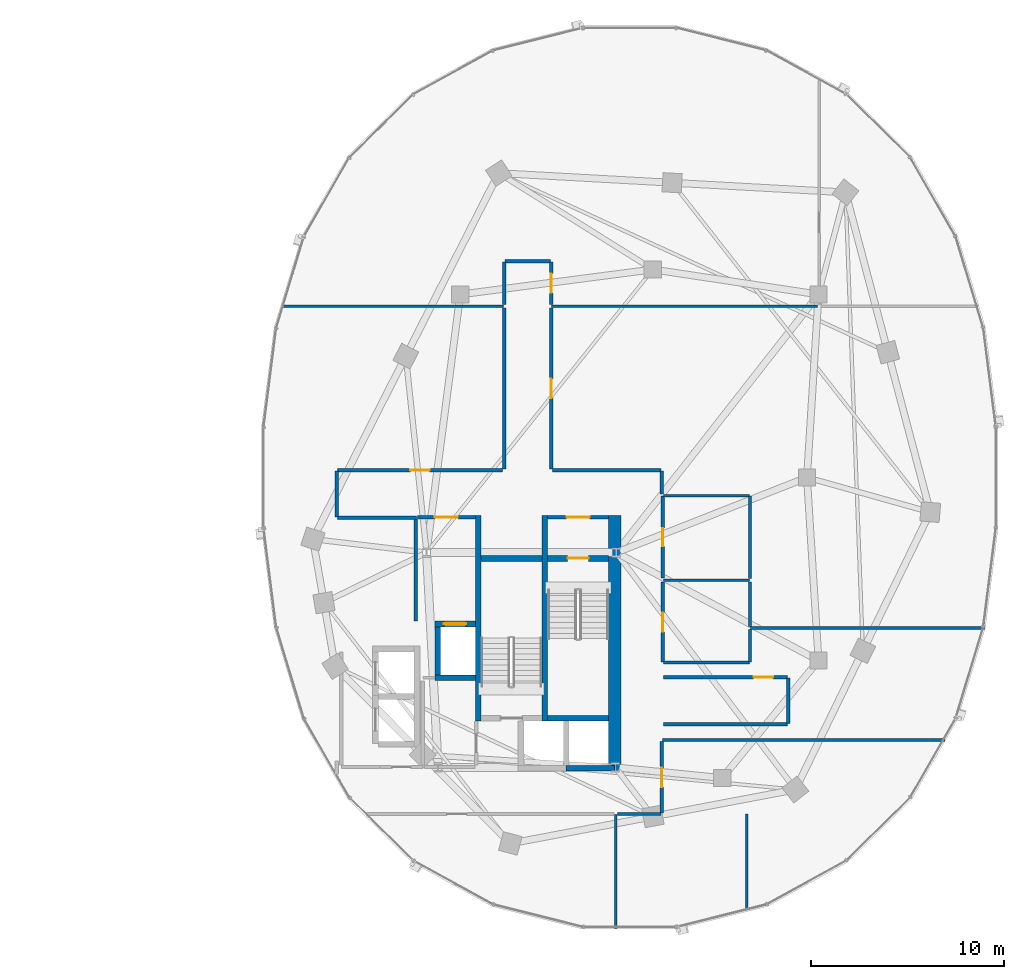
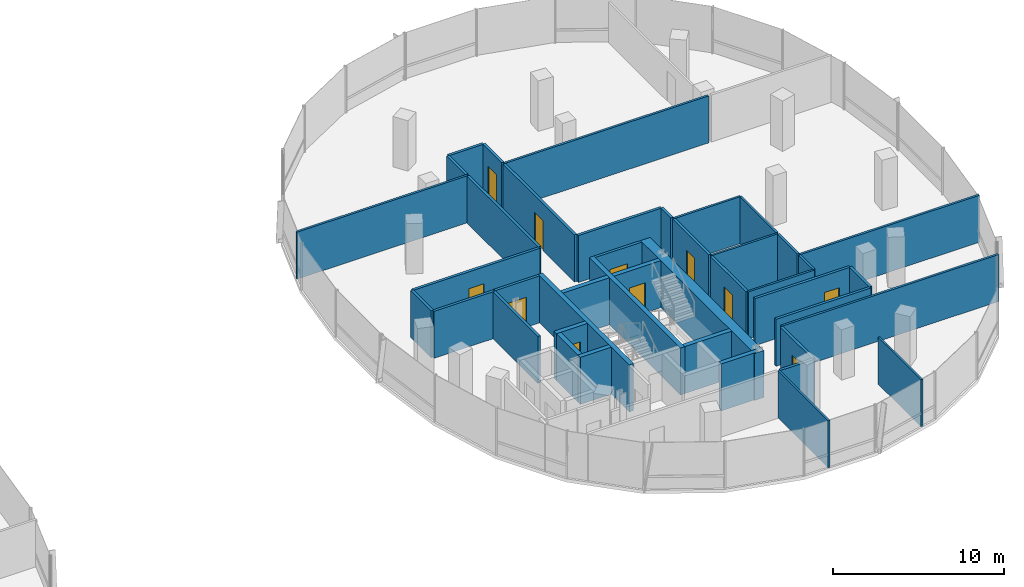
# One storey, part 14 of 22: 42 walls, 11 doors, 11 openings.
"""IFC4 building model written with IfcOpenShell, lengths in metres."""

from ifc_helpers import new_model, si_unit, direction, frame, frame_2d, origin, place, context, subcontext, project, spatial, rectangle, extrude, material, layer, layer_set, type_object, element, fill, save


model = new_model("IFC4")

# Units and contexts
model_context = context("Model", 3, precision=1e-05, world=origin(), true_north=direction((0.0, 1.0)))
body_context = subcontext(model_context, "Body", "Model", "MODEL_VIEW")
ifc_project = project(units=[si_unit("LENGTHUNIT", "METRE"), si_unit("AREAUNIT", "SQUARE_METRE"), si_unit("VOLUMEUNIT", "CUBIC_METRE"), si_unit("PLANEANGLEUNIT", "RADIAN"), si_unit("MASSUNIT", "GRAM", prefix="KILO"), si_unit("THERMODYNAMICTEMPERATUREUNIT", "KELVIN"), si_unit("POWERUNIT", "WATT")], contexts=[model_context])

# Site, building, storey
site_placement = place(None, origin())
site = spatial("IfcSite", under=ifc_project, at=site_placement, CompositionType="ELEMENT")
building_placement = place(site_placement, origin())
building = spatial("IfcBuilding", under=site, at=building_placement, Name="Cundina Bronze Exchange", CompositionType="ELEMENT")
storey_placement = place(building_placement, frame((0.0, 0.0, 158.39990234375)))
storey = spatial("IfcBuildingStorey", under=building, at=storey_placement, Name="L41", CompositionType="ELEMENT", Elevation=158.39990234375)

# Wall
ifc_material_1 = material(Name="Gypsum Fireboard Partition EI120")
ifc_layer_1 = layer(ifc_material_1, 0.179931640625, Name="Gypsum Fireboard Partition EI120")
ifc_layer_set_1 = layer_set([ifc_layer_1], Name="Gypsum Fireboard Partition EI120")
wall_type_1 = type_object("IfcWallType", Name="WL-COR-180", PredefinedType="PARTITIONING", material=ifc_layer_set_1)
wall_1_placement = place(storey_placement, frame((20.889892578125, -7.449951171875, 0.0), z_axis=(0.0, 0.0, 1.0), x_axis=(0.0, 1.0, 0.0)))
element("IfcWall", 1, at=wall_1_placement, inside=storey, type_object=wall_type_1, Name="L41 E Firefighting Lobby Side Wall", PredefinedType="PARTITIONING", context=body_context, shape_type="SweptSolid", body=[
    extrude(rectangle(XDim=5.300048828125, YDim=0.179931640625, at=frame_2d((2.64990234375, 0.0))), origin(), (0.0, 0.0, 1.0), 3.360107421875),
])

# Wall, opening, door
wall_2_placement = place(storey_placement, frame((20.97998046875, -2.06005859375, 0.0), z_axis=(0.0, 0.0, 1.0), x_axis=(1.0, 0.0, 0.0)))
wall_2 = element("IfcWall", 2, at=wall_2_placement, inside=storey, type_object=wall_type_1, Name="L41 E Firefighting Lobby Exit Wall", PredefinedType="PARTITIONING", context=body_context, shape_type="SweptSolid", body=[
    extrude(rectangle(XDim=3.0, YDim=0.179931640625, at=frame_2d((1.5, 0.0))), origin(), (0.0, 0.0, 1.0), 3.360107421875),
])
opening_1_placement = place(wall_2_placement, frame((0.89990234375, 0.0, 0.0)))
opening_1 = element("IfcOpeningElement", 3, at=opening_1_placement, cuts=wall_2, Name="Opening DF-01", PredefinedType="OPENING", context=body_context, shape_type="SweptSolid", body=[
    extrude(rectangle(XDim=1.199951171875, YDim=2.14990234375, at=frame_2d((0.60009765625, 1.074951171875))), frame((0.0, 0.099853515625, 0.0), z_axis=(0.0, -1.0, 0.0), x_axis=(1.0, 0.0, 0.0)), (0.0, 0.0, 1.0), 0.199951171875),
])
ifc_material_2 = material(Name="Steel ASTM A36 Painted", Category="steel")
door_type_1 = type_object("IfcDoorType", Name="DR-FFL-1200", OperationType="NOTDEFINED", PredefinedType="DOOR", material=ifc_material_2)
door_1_placement = place(opening_1_placement, origin())
door_1 = element("IfcDoor", 4, at=door_1_placement, inside=storey, type_object=door_type_1, Name="L41 E Firefighting Lobby Door", OperationType="SINGLE_SWING_LEFT", OverallHeight=2.14990234375, OverallWidth=1.199951171875, PredefinedType="DOOR", context=body_context, shape_type="SweptSolid", body=[
    extrude(rectangle(XDim=1.199951171875, YDim=2.14990234375, at=frame_2d((0.60009765625, 1.074951171875))), frame((0.0, 0.02490234375, 0.0), z_axis=(0.0, -1.0, 0.0), x_axis=(1.0, 0.0, 0.0)), (0.0, 0.0, 1.0), 0.050048828125),
])
fill(opening_1, door_1)

wall_3_placement = place(storey_placement, frame((27.739990234375, -2.06005859375, 0.0), z_axis=(0.0, 0.0, 1.0), x_axis=(1.0, 0.0, 0.0)))
wall_3 = element("IfcWall", 5, at=wall_3_placement, inside=storey, type_object=wall_type_1, Name="L41 E Stair Vestibule Exit Wall", PredefinedType="PARTITIONING", context=body_context, shape_type="SweptSolid", body=[
    extrude(rectangle(XDim=3.159912109375, YDim=0.179931640625, at=frame_2d((1.580078125, 0.0))), origin(), (0.0, 0.0, 1.0), 3.360107421875),
])
opening_2_placement = place(wall_3_placement, frame((0.97998046875, 0.0, 0.0)))
opening_2 = element("IfcOpeningElement", 6, at=opening_2_placement, cuts=wall_3, Name="Opening DF-01", PredefinedType="OPENING", context=body_context, shape_type="SweptSolid", body=[
    extrude(rectangle(XDim=1.199951171875, YDim=2.14990234375, at=frame_2d((0.60009765625, 1.074951171875))), frame((0.0, 0.099853515625, 0.0), z_axis=(0.0, -1.0, 0.0), x_axis=(1.0, 0.0, 0.0)), (0.0, 0.0, 1.0), 0.199951171875),
])
door_2_placement = place(opening_2_placement, origin())
door_2 = element("IfcDoor", 7, at=door_2_placement, inside=storey, type_object=door_type_1, Name="L41 E Stair Vestibule Door", OperationType="SINGLE_SWING_RIGHT", OverallHeight=2.14990234375, OverallWidth=1.199951171875, PredefinedType="DOOR", context=body_context, shape_type="SweptSolid", body=[
    extrude(rectangle(XDim=1.199951171875, YDim=2.14990234375, at=frame_2d((0.60009765625, 1.074951171875))), frame((0.0, 0.02490234375, 0.0), z_axis=(0.0, -1.0, 0.0), x_axis=(1.0, 0.0, 0.0)), (0.0, 0.0, 1.0), 0.050048828125),
])
fill(opening_2, door_2)

wall_4_placement = place(storey_placement, frame((33.719970703125, -5.22998046875, 0.0), z_axis=(0.0, 0.0, 1.0), x_axis=(0.0, 1.0, 0.0)))
wall_4 = element("IfcWall", 8, at=wall_4_placement, inside=storey, type_object=wall_type_1, Name="L41 Interior Partition 055", PredefinedType="PARTITIONING", context=body_context, shape_type="SweptSolid", body=[
    extrude(rectangle(XDim=4.260009765625, YDim=0.179931640625, at=frame_2d((2.1298828125, 0.0))), origin(), (0.0, 0.0, 1.0), 3.360107421875),
])
opening_3_placement = place(wall_4_placement, frame((1.655029296875, 0.0, 0.0)))
opening_3 = element("IfcOpeningElement", 9, at=opening_3_placement, cuts=wall_4, Name="Opening DW-01", PredefinedType="OPENING", context=body_context, shape_type="SweptSolid", body=[
    extrude(rectangle(XDim=0.949951171875, YDim=2.10009765625, at=frame_2d((0.47509765625, 1.050048828125))), frame((0.0, 0.099853515625, 0.0), z_axis=(0.0, -1.0, 0.0), x_axis=(1.0, 0.0, 0.0)), (0.0, 0.0, 1.0), 0.199951171875),
])
ifc_material_3 = material(Name="Solid Andean Oak Timber Grade A", Category="wood")
door_type_2 = type_object("IfcDoorType", Name="DR-WC-950", OperationType="NOTDEFINED", PredefinedType="DOOR", material=ifc_material_3)
door_3_placement = place(opening_3_placement, origin())
door_3 = element("IfcDoor", 10, at=door_3_placement, inside=storey, type_object=door_type_2, Name="L41 Interior Door 055", OperationType="SINGLE_SWING_LEFT", OverallHeight=2.10009765625, OverallWidth=0.949951171875, PredefinedType="DOOR", context=body_context, shape_type="SweptSolid", body=[
    extrude(rectangle(XDim=0.949951171875, YDim=2.10009765625, at=frame_2d((0.47509765625, 1.050048828125))), frame((0.0, 0.02490234375, 0.0), z_axis=(0.0, -1.0, 0.0), x_axis=(1.0, 0.0, 0.0)), (0.0, 0.0, 1.0), 0.050048828125),
])
fill(opening_3, door_3)

wall_5_placement = place(storey_placement, frame((33.719970703125, -9.590087890625, 0.0), z_axis=(0.0, 0.0, 1.0), x_axis=(0.0, 1.0, 0.0)))
wall_5 = element("IfcWall", 11, at=wall_5_placement, inside=storey, type_object=wall_type_1, Name="L41 Interior Partition 056", PredefinedType="PARTITIONING", context=body_context, shape_type="SweptSolid", body=[
    extrude(rectangle(XDim=4.16015625, YDim=0.179931640625, at=frame_2d((2.080078125, 0.0))), origin(), (0.0, 0.0, 1.0), 3.360107421875),
])
opening_4_placement = place(wall_5_placement, frame((1.580078125, 0.0, 0.0)))
opening_4 = element("IfcOpeningElement", 12, at=opening_4_placement, cuts=wall_5, Name="Opening DO-01", PredefinedType="OPENING", context=body_context, shape_type="SweptSolid", body=[
    extrude(rectangle(XDim=1.0, YDim=2.14990234375, at=frame_2d((0.5, 1.074951171875))), frame((0.0, 0.099853515625, 0.0), z_axis=(0.0, -1.0, 0.0), x_axis=(1.0, 0.0, 0.0)), (0.0, 0.0, 1.0), 0.199951171875),
])
door_type_3 = type_object("IfcDoorType", Name="DR-OFF-1000", OperationType="NOTDEFINED", PredefinedType="DOOR", material=ifc_material_3)
door_4_placement = place(opening_4_placement, origin())
door_4 = element("IfcDoor", 13, at=door_4_placement, inside=storey, type_object=door_type_3, Name="L41 Interior Door 056", OperationType="SINGLE_SWING_LEFT", OverallHeight=2.14990234375, OverallWidth=1.0, PredefinedType="DOOR", context=body_context, shape_type="SweptSolid", body=[
    extrude(rectangle(XDim=1.0, YDim=2.14990234375, at=frame_2d((0.5, 1.074951171875))), frame((0.0, 0.02490234375, 0.0), z_axis=(0.0, -1.0, 0.0), x_axis=(1.0, 0.0, 0.0)), (0.0, 0.0, 1.0), 0.050048828125),
])
fill(opening_4, door_4)

wall_6_placement = place(storey_placement, frame((33.669921875, -17.428466796875, 0.0), z_axis=(0.0, 0.0, 1.0), x_axis=(0.0, 1.0, 0.0)))
wall_6 = element("IfcWall", 14, at=wall_6_placement, inside=storey, type_object=wall_type_1, Name="L41 Interior Partition 065", PredefinedType="PARTITIONING", context=body_context, shape_type="SweptSolid", body=[
    extrude(rectangle(XDim=3.718505859375, YDim=0.179931640625, at=frame_2d((1.859375, 0.0))), origin(), (0.0, 0.0, 1.0), 3.360107421875),
])
opening_5_placement = place(wall_6_placement, frame((1.359130859375, 0.0, 0.0)))
opening_5 = element("IfcOpeningElement", 15, at=opening_5_placement, cuts=wall_6, Name="Opening DO-01", PredefinedType="OPENING", context=body_context, shape_type="SweptSolid", body=[
    extrude(rectangle(XDim=1.0, YDim=2.14990234375, at=frame_2d((0.5, 1.074951171875))), frame((0.0, 0.099853515625, 0.0), z_axis=(0.0, -1.0, 0.0), x_axis=(1.0, 0.0, 0.0)), (0.0, 0.0, 1.0), 0.199951171875),
])
door_5_placement = place(opening_5_placement, origin())
door_5 = element("IfcDoor", 16, at=door_5_placement, inside=storey, type_object=door_type_3, Name="L41 Interior Door 065", OperationType="SINGLE_SWING_RIGHT", OverallHeight=2.14990234375, OverallWidth=1.0, PredefinedType="DOOR", context=body_context, shape_type="SweptSolid", body=[
    extrude(rectangle(XDim=1.0, YDim=2.14990234375, at=frame_2d((0.5, 1.074951171875))), frame((0.0, 0.02490234375, 0.0), z_axis=(0.0, -1.0, 0.0), x_axis=(1.0, 0.0, 0.0)), (0.0, 0.0, 1.0), 0.050048828125),
])
fill(opening_5, door_5)

# Walls
wall_7_placement = place(storey_placement, frame((31.3701171875, -17.469970703125, 0.0), z_axis=(0.0, 0.0, 1.0), x_axis=(1.0, 0.0, 0.0)))
element("IfcWall", 17, at=wall_7_placement, inside=storey, type_object=wall_type_1, Name="L41 Interior Partition 066", PredefinedType="PARTITIONING", context=body_context, shape_type="SweptSolid", body=[
    extrude(rectangle(XDim=2.25830078125, YDim=0.179931640625, at=frame_2d((1.129150390625, 0.0))), origin(), (0.0, 0.0, 1.0), 3.360107421875),
])
wall_8_placement = place(storey_placement, frame((33.75, -12.820068359375, 0.0), z_axis=(0.0, 0.0, 1.0), x_axis=(1.0, 0.0, 0.0)))
element("IfcWall", 18, at=wall_8_placement, inside=storey, type_object=wall_type_1, Name="L41 Interior Partition 067", PredefinedType="PARTITIONING", context=body_context, shape_type="SweptSolid", body=[
    extrude(rectangle(XDim=6.428466796875, YDim=0.179931640625, at=frame_2d((3.21435546875, 0.0))), origin(), (0.0, 0.0, 1.0), 3.360107421875),
])

# Wall, opening, door
wall_9_placement = place(storey_placement, frame((40.178466796875, -10.3798828125, 0.0), z_axis=(0.0, 0.0, 1.0), x_axis=(-1.0, 0.0, 0.0)))
wall_9 = element("IfcWall", 19, at=wall_9_placement, inside=storey, type_object=wall_type_1, Name="L41 Interior Partition 068", PredefinedType="PARTITIONING", context=body_context, shape_type="SweptSolid", body=[
    extrude(rectangle(XDim=6.428466796875, YDim=0.179931640625, at=frame_2d((3.21435546875, 0.0))), origin(), (0.0, 0.0, 1.0), 3.360107421875),
])
opening_6_placement = place(wall_9_placement, frame((0.74267578125, 0.0, 0.0)))
opening_6 = element("IfcOpeningElement", 20, at=opening_6_placement, cuts=wall_9, Name="Opening DO-01", PredefinedType="OPENING", context=body_context, shape_type="SweptSolid", body=[
    extrude(rectangle(XDim=1.0, YDim=2.14990234375, at=frame_2d((0.5, 1.074951171875))), frame((0.0, 0.099853515625, 0.0), z_axis=(0.0, -1.0, 0.0), x_axis=(1.0, 0.0, 0.0)), (0.0, 0.0, 1.0), 0.199951171875),
])
door_6_placement = place(opening_6_placement, origin())
door_6 = element("IfcDoor", 21, at=door_6_placement, inside=storey, type_object=door_type_3, Name="L41 Interior Door 068", OperationType="SINGLE_SWING_LEFT", OverallHeight=2.14990234375, OverallWidth=1.0, PredefinedType="DOOR", context=body_context, shape_type="SweptSolid", body=[
    extrude(rectangle(XDim=1.0, YDim=2.14990234375, at=frame_2d((0.5, 1.074951171875))), frame((0.0, 0.02490234375, 0.0), z_axis=(0.0, -1.0, 0.0), x_axis=(1.0, 0.0, 0.0)), (0.0, 0.0, 1.0), 0.050048828125),
])
fill(opening_6, door_6)

# Wall
wall_10_placement = place(storey_placement, frame((40.219970703125, -12.778564453125, 0.0), z_axis=(0.0, 0.0, 1.0), x_axis=(0.0, 1.0, 0.0)))
element("IfcWall", 22, at=wall_10_placement, inside=storey, type_object=wall_type_1, Name="L41 Interior Partition 069", PredefinedType="PARTITIONING", context=body_context, shape_type="SweptSolid", body=[
    extrude(rectangle(XDim=2.357177734375, YDim=0.179931640625, at=frame_2d((1.1787109375, 0.0))), origin(), (0.0, 0.0, 1.0), 3.360107421875),
])

# Wall, opening, door
wall_11_placement = place(storey_placement, frame((25.39990234375, 0.3701171875, 0.0), z_axis=(0.0, 0.0, 1.0), x_axis=(-1.0, 0.0, 0.0)))
wall_11 = element("IfcWall", 23, at=wall_11_placement, inside=storey, type_object=wall_type_1, Name="L41 Interior Partition 070", PredefinedType="PARTITIONING", context=body_context, shape_type="SweptSolid", body=[
    extrude(rectangle(XDim=8.578369140625, YDim=0.179931640625, at=frame_2d((4.2890625, 0.0))), origin(), (0.0, 0.0, 1.0), 3.360107421875),
])
opening_7_placement = place(wall_11_placement, frame((3.789306640625, 0.0, 0.0)))
opening_7 = element("IfcOpeningElement", 24, at=opening_7_placement, cuts=wall_11, Name="Opening DO-01", PredefinedType="OPENING", context=body_context, shape_type="SweptSolid", body=[
    extrude(rectangle(XDim=1.0, YDim=2.14990234375, at=frame_2d((0.5, 1.074951171875))), frame((0.0, 0.099853515625, 0.0), z_axis=(0.0, -1.0, 0.0), x_axis=(1.0, 0.0, 0.0)), (0.0, 0.0, 1.0), 0.199951171875),
])
door_7_placement = place(opening_7_placement, origin())
door_7 = element("IfcDoor", 25, at=door_7_placement, inside=storey, type_object=door_type_3, Name="L41 Interior Door 070", OperationType="SINGLE_SWING_RIGHT", OverallHeight=2.14990234375, OverallWidth=1.0, PredefinedType="DOOR", context=body_context, shape_type="SweptSolid", body=[
    extrude(rectangle(XDim=1.0, YDim=2.14990234375, at=frame_2d((0.5, 1.074951171875))), frame((0.0, 0.02490234375, 0.0), z_axis=(0.0, -1.0, 0.0), x_axis=(1.0, 0.0, 0.0)), (0.0, 0.0, 1.0), 0.050048828125),
])
fill(opening_7, door_7)

# Walls
wall_12_placement = place(storey_placement, frame((25.47998046875, 8.800048828125, 0.0), z_axis=(0.0, 0.0, 1.0), x_axis=(0.0, -1.0, 0.0)))
element("IfcWall", 26, at=wall_12_placement, inside=storey, type_object=wall_type_1, Name="L41 Interior Partition 071", PredefinedType="PARTITIONING", context=body_context, shape_type="SweptSolid", body=[
    extrude(rectangle(XDim=8.35009765625, YDim=0.179931640625, at=frame_2d((4.175048828125, 0.0))), origin(), (0.0, 0.0, 1.0), 3.360107421875),
])
wall_13_placement = place(storey_placement, frame((16.821533203125, -2.10009765625, 0.0), z_axis=(0.0, 0.0, 1.0), x_axis=(1.0, 0.0, 0.0)))
element("IfcWall", 27, at=wall_13_placement, inside=storey, type_object=wall_type_1, Name="L41 Interior Partition 072", PredefinedType="PARTITIONING", context=body_context, shape_type="SweptSolid", body=[
    extrude(rectangle(XDim=4.098388671875, YDim=0.179931640625, at=frame_2d((2.04931640625, 0.0))), origin(), (0.0, 0.0, 1.0), 3.360107421875),
])
wall_14_placement = place(storey_placement, frame((16.780029296875, 0.32861328125, 0.0), z_axis=(0.0, 0.0, 1.0), x_axis=(0.0, -1.0, 0.0)))
element("IfcWall", 28, at=wall_14_placement, inside=storey, type_object=wall_type_1, Name="L41 Interior Partition 073", PredefinedType="PARTITIONING", context=body_context, shape_type="SweptSolid", body=[
    extrude(rectangle(XDim=2.38720703125, YDim=0.179931640625, at=frame_2d((1.193603515625, 0.0))), origin(), (0.0, 0.0, 1.0), 3.360107421875),
])

# Wall, opening, door
wall_15_placement = place(storey_placement, frame((27.919921875, 0.449951171875, 0.0), z_axis=(0.0, 0.0, 1.0), x_axis=(0.0, 1.0, 0.0)))
wall_15 = element("IfcWall", 29, at=wall_15_placement, inside=storey, type_object=wall_type_1, Name="L41 Interior Partition 075", PredefinedType="PARTITIONING", context=body_context, shape_type="SweptSolid", body=[
    extrude(rectangle(XDim=8.35009765625, YDim=0.179931640625, at=frame_2d((4.175048828125, 0.0))), origin(), (0.0, 0.0, 1.0), 3.360107421875),
])
opening_8_placement = place(wall_15_placement, frame((3.675048828125, 0.0, 0.0)))
opening_8 = element("IfcOpeningElement", 30, at=opening_8_placement, cuts=wall_15, Name="Opening DO-01", PredefinedType="OPENING", context=body_context, shape_type="SweptSolid", body=[
    extrude(rectangle(XDim=1.0, YDim=2.14990234375, at=frame_2d((0.5, 1.074951171875))), frame((0.0, 0.099853515625, 0.0), z_axis=(0.0, -1.0, 0.0), x_axis=(1.0, 0.0, 0.0)), (0.0, 0.0, 1.0), 0.199951171875),
])
door_8_placement = place(opening_8_placement, origin())
door_8 = element("IfcDoor", 31, at=door_8_placement, inside=storey, type_object=door_type_3, Name="L41 Interior Door 075", OperationType="SINGLE_SWING_RIGHT", OverallHeight=2.14990234375, OverallWidth=1.0, PredefinedType="DOOR", context=body_context, shape_type="SweptSolid", body=[
    extrude(rectangle(XDim=1.0, YDim=2.14990234375, at=frame_2d((0.5, 1.074951171875))), frame((0.0, 0.02490234375, 0.0), z_axis=(0.0, -1.0, 0.0), x_axis=(1.0, 0.0, 0.0)), (0.0, 0.0, 1.0), 0.050048828125),
])
fill(opening_8, door_8)

# Walls
wall_16_placement = place(storey_placement, frame((33.62841796875, 0.3701171875, 0.0), z_axis=(0.0, 0.0, 1.0), x_axis=(-1.0, 0.0, 0.0)))
element("IfcWall", 32, at=wall_16_placement, inside=storey, type_object=wall_type_1, Name="L41 Interior Partition 076", PredefinedType="PARTITIONING", context=body_context, shape_type="SweptSolid", body=[
    extrude(rectangle(XDim=5.62841796875, YDim=0.179931640625, at=frame_2d((2.814208984375, 0.0))), origin(), (0.0, 0.0, 1.0), 3.360107421875),
])
wall_17_placement = place(storey_placement, frame((33.669921875, -0.858642578125, 0.0), z_axis=(0.0, 0.0, 1.0), x_axis=(0.0, 1.0, 0.0)))
element("IfcWall", 33, at=wall_17_placement, inside=storey, type_object=wall_type_1, Name="L41 Interior Partition 077", PredefinedType="PARTITIONING", context=body_context, shape_type="SweptSolid", body=[
    extrude(rectangle(XDim=1.187255859375, YDim=0.179931640625, at=frame_2d((0.59375, 0.0))), origin(), (0.0, 0.0, 1.0), 3.360107421875),
])
wall_18_placement = place(storey_placement, frame((27.87841796875, 11.219970703125, 0.0), z_axis=(0.0, 0.0, 1.0), x_axis=(-1.0, 0.0, 0.0)))
element("IfcWall", 34, at=wall_18_placement, inside=storey, type_object=wall_type_1, Name="L41 Interior Partition 078", PredefinedType="PARTITIONING", context=body_context, shape_type="SweptSolid", body=[
    extrude(rectangle(XDim=2.35693359375, YDim=0.179931640625, at=frame_2d((1.178466796875, 0.0))), origin(), (0.0, 0.0, 1.0), 3.360107421875),
])
wall_19_placement = place(storey_placement, frame((25.47998046875, 11.178466796875, 0.0), z_axis=(0.0, 0.0, 1.0), x_axis=(0.0, -1.0, 0.0)))
element("IfcWall", 35, at=wall_19_placement, inside=storey, type_object=wall_type_1, Name="L41 Interior Partition 079", PredefinedType="PARTITIONING", context=body_context, shape_type="SweptSolid", body=[
    extrude(rectangle(XDim=2.198486328125, YDim=0.179931640625, at=frame_2d((1.09912109375, 0.0))), origin(), (0.0, 0.0, 1.0), 3.360107421875),
])

# Wall, opening, door
wall_20_placement = place(storey_placement, frame((27.919921875, 8.97998046875, 0.0), z_axis=(0.0, 0.0, 1.0), x_axis=(0.0, 1.0, 0.0)))
wall_20 = element("IfcWall", 36, at=wall_20_placement, inside=storey, type_object=wall_type_1, Name="L41 Interior Partition 080", PredefinedType="PARTITIONING", context=body_context, shape_type="SweptSolid", body=[
    extrude(rectangle(XDim=2.198486328125, YDim=0.179931640625, at=frame_2d((1.09912109375, 0.0))), origin(), (0.0, 0.0, 1.0), 3.360107421875),
])
opening_9_placement = place(wall_20_placement, frame((0.59912109375, 0.0, 0.0)))
opening_9 = element("IfcOpeningElement", 37, at=opening_9_placement, cuts=wall_20, Name="Opening DO-01", PredefinedType="OPENING", context=body_context, shape_type="SweptSolid", body=[
    extrude(rectangle(XDim=1.0, YDim=2.14990234375, at=frame_2d((0.5, 1.074951171875))), frame((0.0, 0.099853515625, 0.0), z_axis=(0.0, -1.0, 0.0), x_axis=(1.0, 0.0, 0.0)), (0.0, 0.0, 1.0), 0.199951171875),
])
door_9_placement = place(opening_9_placement, origin())
door_9 = element("IfcDoor", 38, at=door_9_placement, inside=storey, type_object=door_type_3, Name="L41 Interior Door 080", OperationType="SINGLE_SWING_RIGHT", OverallHeight=2.14990234375, OverallWidth=1.0, PredefinedType="DOOR", context=body_context, shape_type="SweptSolid", body=[
    extrude(rectangle(XDim=1.0, YDim=2.14990234375, at=frame_2d((0.5, 1.074951171875))), frame((0.0, 0.02490234375, 0.0), z_axis=(0.0, -1.0, 0.0), x_axis=(1.0, 0.0, 0.0)), (0.0, 0.0, 1.0), 0.050048828125),
])
fill(opening_9, door_9)

# Walls
ifc_material_4 = material(Name="Concrete C50/60", Category="concrete")
ifc_layer_2 = layer(ifc_material_4, 0.64990234375, Name="Concrete C50/60", Category="concrete")
ifc_layer_set_2 = layer_set([ifc_layer_2], Name="Concrete C50/60")
wall_type_2 = type_object("IfcWallType", Name="WL-CORE-650", PredefinedType="SHEAR", material=ifc_layer_set_2)
wall_21_placement = place(storey_placement, frame((31.22509765625, -15.300048828125, 0.0), z_axis=(0.0, 0.0, 1.0), x_axis=(0.0, 1.0, 0.0)))
element("IfcWall", 39, at=wall_21_placement, inside=storey, type_object=wall_type_2, Name="L41 E Primary Core Shear Spine Wall", PredefinedType="SHEAR", context=body_context, shape_type="SweptSolid", body=[
    extrude(rectangle(XDim=13.330078125, YDim=0.64990234375, at=frame_2d((6.6650390625, 0.0))), origin(), (0.0, 0.0, 1.0), 3.360107421875),
])
ifc_material_5 = material(Name="Gypsum Acoustic Partition EI60")
ifc_layer_3 = layer(ifc_material_5, 0.125, Name="Gypsum Acoustic Partition EI60")
ifc_layer_set_3 = layer_set([ifc_layer_3], Name="Gypsum Acoustic Partition EI60")
wall_type_3 = type_object("IfcWallType", Name="WL-OFF-125", PredefinedType="PARTITIONING", material=ifc_layer_set_3)
wall_22_placement = place(storey_placement, frame((31.280029296875, -23.402099609375, 0.0), z_axis=(0.0, 0.0, 1.0), x_axis=(0.0, 1.0, 0.0)))
element("IfcWall", 40, at=wall_22_placement, inside=storey, type_object=wall_type_3, Name="L41 Interior Partition 062", PredefinedType="PARTITIONING", context=body_context, shape_type="SweptSolid", body=[
    extrude(rectangle(XDim=5.902099609375, YDim=0.125, at=frame_2d((2.951171875, 0.0))), origin(), (0.0, 0.0, 1.0), 3.360107421875),
])
wall_23_placement = place(storey_placement, frame((38.080078125, -22.4912109375, 0.0), z_axis=(0.0, 0.0, 1.0), x_axis=(0.0, 1.0, 0.0)))
element("IfcWall", 41, at=wall_23_placement, inside=storey, type_object=wall_type_3, Name="L41 Interior Partition 063", PredefinedType="PARTITIONING", context=body_context, shape_type="SweptSolid", body=[
    extrude(rectangle(XDim=5.021240234375, YDim=0.125, at=frame_2d((2.5107421875, 0.0))), origin(), (0.0, 0.0, 1.0), 3.360107421875),
])
ifc_layer_4 = layer(ifc_material_4, 0.300048828125, Name="Concrete C50/60", Category="concrete")
ifc_layer_set_4 = layer_set([ifc_layer_4], Name="Concrete C50/60")
wall_type_4 = type_object("IfcWallType", Name="WL-SHFT-300", PredefinedType="SHEAR", material=ifc_layer_set_4)
for number, where, z_axis, x_axis, name in (
    (42, (27.590087890625, -12.64990234375, 0.0), (0.0, 0.0, 1.0), (0.0, 1.0, 0.0), "L41 E Stair Shaft Dividing Shear Wall"),
    (43, (24.1298828125, -12.64990234375, 0.0), (0.0, 0.0, 1.0), (0.0, 1.0, 0.0), "L41 E Stair 2 East Shear Wall"),
):
    element("IfcWall", number, at=place(storey_placement, frame(where, z_axis=z_axis, x_axis=x_axis)), inside=storey, type_object=wall_type_4, Name=name, PredefinedType="SHEAR", context=body_context, shape_type="SweptSolid", body=[
        extrude(rectangle(XDim=10.679931640625, YDim=0.300048828125, at=frame_2d((5.33984375, 0.0))), origin(), (0.0, 0.0, 1.0), 3.360107421875),
    ])

# Wall, opening, door
wall_24_placement = place(storey_placement, frame((27.739990234375, -4.199951171875, 0.0), z_axis=(0.0, 0.0, 1.0), x_axis=(1.0, 0.0, 0.0)))
wall_24 = element("IfcWall", 44, at=wall_24_placement, inside=storey, type_object=wall_type_4, Name="L41 Stair E1 Landing Wall", PredefinedType="SHEAR", context=body_context, shape_type="SweptSolid", body=[
    extrude(rectangle(XDim=3.159912109375, YDim=0.300048828125, at=frame_2d((1.580078125, 0.0))), origin(), (0.0, 0.0, 1.0), 3.360107421875),
])
opening_10_placement = place(wall_24_placement, frame((1.030029296875, 0.0, 0.0)))
opening_10 = element("IfcOpeningElement", 45, at=opening_10_placement, cuts=wall_24, Name="Opening DS-01", PredefinedType="OPENING", context=body_context, shape_type="SweptSolid", body=[
    extrude(rectangle(XDim=1.10009765625, YDim=2.14990234375, at=frame_2d((0.550048828125, 1.074951171875))), frame((0.0, 0.159912109375, 0.0), z_axis=(0.0, -1.0, 0.0), x_axis=(1.0, 0.0, 0.0)), (0.0, 0.0, 1.0), 0.320068359375),
])
door_type_4 = type_object("IfcDoorType", Name="DR-STR-1100", OperationType="NOTDEFINED", PredefinedType="DOOR", material=ifc_material_2)
door_10_placement = place(opening_10_placement, origin())
door_10 = element("IfcDoor", 46, at=door_10_placement, inside=storey, type_object=door_type_4, Name="L41 Smokeproof Stair E1 Door", OperationType="SINGLE_SWING_LEFT", OverallHeight=2.14990234375, OverallWidth=1.10009765625, PredefinedType="DOOR", context=body_context, shape_type="SweptSolid", body=[
    extrude(rectangle(XDim=1.10009765625, YDim=2.14990234375, at=frame_2d((0.550048828125, 1.074951171875))), frame((0.0, 0.02490234375, 0.0), z_axis=(0.0, -1.0, 0.0), x_axis=(1.0, 0.0, 0.0)), (0.0, 0.0, 1.0), 0.050048828125),
])
fill(opening_10, door_10)

# Walls
for number, where, z_axis, x_axis, name in (
    (47, (27.739990234375, -12.5, 0.0), (0.0, 0.0, 1.0), (1.0, 0.0, 0.0), "L41 Stair E1 Far Shaft Wall"),
    (48, (24.280029296875, -4.199951171875, 0.0), (0.0, 0.0, 1.0), (1.0, 0.0, 0.0), "L41 Stair E2 Far Shaft Wall"),
):
    element("IfcWall", number, at=place(storey_placement, frame(where, z_axis=z_axis, x_axis=x_axis)), inside=storey, type_object=wall_type_4, Name=name, PredefinedType="SHEAR", context=body_context, shape_type="SweptSolid", body=[
        extrude(rectangle(XDim=3.159912109375, YDim=0.300048828125, at=frame_2d((1.580078125, 0.0))), origin(), (0.0, 0.0, 1.0), 3.360107421875),
    ])

# Wall, opening, door
wall_25_placement = place(storey_placement, frame((21.8798828125, -7.60009765625, 0.0), z_axis=(0.0, 0.0, 1.0), x_axis=(1.0, 0.0, 0.0)))
wall_25 = element("IfcWall", 49, at=wall_25_placement, inside=storey, type_object=wall_type_4, Name="L41 FFL-E Hoistway Front Wall", PredefinedType="SHEAR", context=body_context, shape_type="SweptSolid", body=[
    extrude(rectangle(XDim=2.10009765625, YDim=0.300048828125, at=frame_2d((1.050048828125, 0.0))), origin(), (0.0, 0.0, 1.0), 3.360107421875),
])
opening_11_placement = place(wall_25_placement, frame((0.47509765625, 0.0, 0.0)))
opening_11 = element("IfcOpeningElement", 50, at=opening_11_placement, cuts=wall_25, Name="Opening LD-01", PredefinedType="OPENING", context=body_context, shape_type="SweptSolid", body=[
    extrude(rectangle(XDim=1.14990234375, YDim=2.199951171875, at=frame_2d((0.574951171875, 1.10009765625))), frame((0.0, 0.159912109375, 0.0), z_axis=(0.0, -1.0, 0.0), x_axis=(1.0, 0.0, 0.0)), (0.0, 0.0, 1.0), 0.320068359375),
])
door_type_5 = type_object("IfcDoorType", Name="DR-LND-1150", OperationType="NOTDEFINED", PredefinedType="TRAPDOOR", material=ifc_material_2)
door_11_placement = place(opening_11_placement, origin())
door_11 = element("IfcDoor", 51, at=door_11_placement, inside=storey, type_object=door_type_5, Name="L41 FFL-E Sliding Landing Door", OperationType="SLIDING_TO_LEFT", OverallHeight=2.199951171875, OverallWidth=1.14990234375, PredefinedType="TRAPDOOR", context=body_context, shape_type="SweptSolid", body=[
    extrude(rectangle(XDim=1.14990234375, YDim=2.199951171875, at=frame_2d((0.574951171875, 1.10009765625))), frame((0.0, 0.02490234375, 0.0), z_axis=(0.0, -1.0, 0.0), x_axis=(1.0, 0.0, 0.0)), (0.0, 0.0, 1.0), 0.050048828125),
])
fill(opening_11, door_11)

# Walls
wall_26_placement = place(storey_placement, frame((21.8798828125, -10.39990234375, 0.0), z_axis=(0.0, 0.0, 1.0), x_axis=(1.0, 0.0, 0.0)))
element("IfcWall", 52, at=wall_26_placement, inside=storey, type_object=wall_type_4, Name="L41 FFL-E Hoistway Back Wall", PredefinedType="SHEAR", context=body_context, shape_type="SweptSolid", body=[
    extrude(rectangle(XDim=2.10009765625, YDim=0.300048828125, at=frame_2d((1.050048828125, 0.0))), origin(), (0.0, 0.0, 1.0), 3.360107421875),
])
for number, where, z_axis, x_axis, name in (
    (53, (22.030029296875, -10.25, 0.0), (0.0, 0.0, 1.0), (0.0, 1.0, 0.0), "L41 FFL-E Hoistway Side Wall"),
    (54, (28.699951171875, -15.10009765625, 0.0), (0.0, 0.0, 1.0), (1.0, 0.0, 0.0), "L41 PH-E1 Hoistway Front Wall"),
):
    element("IfcWall", number, at=place(storey_placement, frame(where, z_axis=z_axis, x_axis=x_axis)), inside=storey, type_object=wall_type_4, Name=name, PredefinedType="SHEAR", context=body_context, shape_type="SweptSolid", body=[
        extrude(rectangle(XDim=2.5, YDim=0.300048828125, at=frame_2d((1.25, 0.0))), origin(), (0.0, 0.0, 1.0), 3.360107421875),
    ])
ifc_layer_5 = layer(ifc_material_5, 0.14990234375, Name="Gypsum Acoustic Partition EI60")
ifc_layer_set_5 = layer_set([ifc_layer_5], Name="Gypsum Acoustic Partition EI60")
wall_type_5 = type_object("IfcWallType", Name="WL-TEN-150", PredefinedType="PARTITIONING", material=ifc_layer_set_5)
wall_27_placement = place(storey_placement, frame((13.918212890625, 8.889892578125, 0.0), z_axis=(0.0, 0.0, 1.0), x_axis=(1.0, 0.0, 0.0)))
element("IfcWall", 55, at=wall_27_placement, inside=storey, type_object=wall_type_5, Name="L41 Interior Partition 057", PredefinedType="PARTITIONING", context=body_context, shape_type="SweptSolid", body=[
    extrude(rectangle(XDim=11.53173828125, YDim=0.14990234375, at=frame_2d((5.765869140625, 0.0))), origin(), (0.0, 0.0, 1.0), 3.360107421875),
])
wall_28_placement = place(storey_placement, frame((27.949951171875, 8.889892578125, 0.0), z_axis=(0.0, 0.0, 1.0), x_axis=(1.0, 0.0, 0.0)))
element("IfcWall", 56, at=wall_28_placement, inside=storey, type_object=wall_type_5, Name="L41 Interior Partition 058", PredefinedType="PARTITIONING", context=body_context, shape_type="SweptSolid", body=[
    extrude(rectangle(XDim=13.795166015625, YDim=0.14990234375, at=frame_2d((6.8974609375, 0.0))), origin(), (0.0, 0.0, 1.0), 3.360107421875),
])
wall_29_placement = place(storey_placement, frame((38.27001953125, -7.820068359375, 0.0), z_axis=(0.0, 0.0, 1.0), x_axis=(1.0, 0.0, 0.0)))
element("IfcWall", 57, at=wall_29_placement, inside=storey, type_object=wall_type_5, Name="L41 Interior Partition 060", PredefinedType="PARTITIONING", context=body_context, shape_type="SweptSolid", body=[
    extrude(rectangle(XDim=12.135986328125, YDim=0.14990234375, at=frame_2d((6.06787109375, 0.0))), origin(), (0.0, 0.0, 1.0), 3.360107421875),
])
wall_30_placement = place(storey_placement, frame((33.699951171875, -13.6201171875, 0.0), z_axis=(0.0, 0.0, 1.0), x_axis=(1.0, 0.0, 0.0)))
element("IfcWall", 58, at=wall_30_placement, inside=storey, type_object=wall_type_5, Name="L41 Interior Partition 061", PredefinedType="PARTITIONING", context=body_context, shape_type="SweptSolid", body=[
    extrude(rectangle(XDim=14.65576171875, YDim=0.14990234375, at=frame_2d((7.327880859375, 0.0))), origin(), (0.0, 0.0, 1.0), 3.360107421875),
])
ifc_material_6 = material(Name="Moisture-Resistant Masonry Block Grade M15", Category="masonry")
ifc_layer_6 = layer(ifc_material_6, 0.139892578125, Name="Moisture-Resistant Masonry Block Grade M15", Category="masonry")
ifc_layer_set_6 = layer_set([ifc_layer_6], Name="Moisture-Resistant Masonry Block Grade M15")
wall_type_6 = type_object("IfcWallType", Name="WL-WET-140", PredefinedType="PARTITIONING", material=ifc_layer_set_6)
wall_31_placement = place(storey_placement, frame((38.239990234375, -9.590087890625, 0.0), z_axis=(0.0, 0.0, 1.0), x_axis=(0.0, 1.0, 0.0)))
element("IfcWall", 59, at=wall_31_placement, inside=storey, type_object=wall_type_6, Name="L41 Interior Partition 049", PredefinedType="PARTITIONING", context=body_context, shape_type="SweptSolid", body=[
    extrude(rectangle(XDim=1.68505859375, YDim=0.139892578125, at=frame_2d((0.842529296875, 0.0))), origin(), (0.0, 0.0, 1.0), 3.360107421875),
])
wall_32_placement = place(storey_placement, frame((38.239990234375, -7.735107421875, 0.0), z_axis=(0.0, 0.0, 1.0), x_axis=(0.0, 1.0, 0.0)))
element("IfcWall", 60, at=wall_32_placement, inside=storey, type_object=wall_type_6, Name="L41 Interior Partition 050", PredefinedType="PARTITIONING", context=body_context, shape_type="SweptSolid", body=[
    extrude(rectangle(XDim=2.320068359375, YDim=0.139892578125, at=frame_2d((1.16015625, 0.0))), origin(), (0.0, 0.0, 1.0), 3.360107421875),
])
wall_33_placement = place(storey_placement, frame((38.239990234375, -5.2451171875, 0.0), z_axis=(0.0, 0.0, 1.0), x_axis=(0.0, 1.0, 0.0)))
element("IfcWall", 61, at=wall_33_placement, inside=storey, type_object=wall_type_6, Name="L41 Interior Partition 051", PredefinedType="PARTITIONING", context=body_context, shape_type="SweptSolid", body=[
    extrude(rectangle(XDim=4.275146484375, YDim=0.139892578125, at=frame_2d((2.1376953125, 0.0))), origin(), (0.0, 0.0, 1.0), 3.360107421875),
])
for number, where, z_axis, x_axis, name in (
    (62, (33.739990234375, -0.949951171875, 0.0), (0.0, 0.0, 1.0), (1.0, 0.0, 0.0), "L41 Interior Partition 052"),
    (63, (33.739990234375, -5.330078125, 0.0), (0.0, 0.0, 1.0), (1.0, 0.0, 0.0), "L41 Interior Partition 053"),
    (64, (33.739990234375, -9.610107421875, 0.0), (0.0, 0.0, 1.0), (1.0, 0.0, 0.0), "L41 Interior Partition 054"),
):
    element("IfcWall", number, at=place(storey_placement, frame(where, z_axis=z_axis, x_axis=x_axis)), inside=storey, type_object=wall_type_6, Name=name, PredefinedType="PARTITIONING", context=body_context, shape_type="SweptSolid", body=[
        extrude(rectangle(XDim=4.47998046875, YDim=0.139892578125, at=frame_2d((2.239990234375, 0.0))), origin(), (0.0, 0.0, 1.0), 3.360107421875),
    ])

save(model, "model.ifc")
